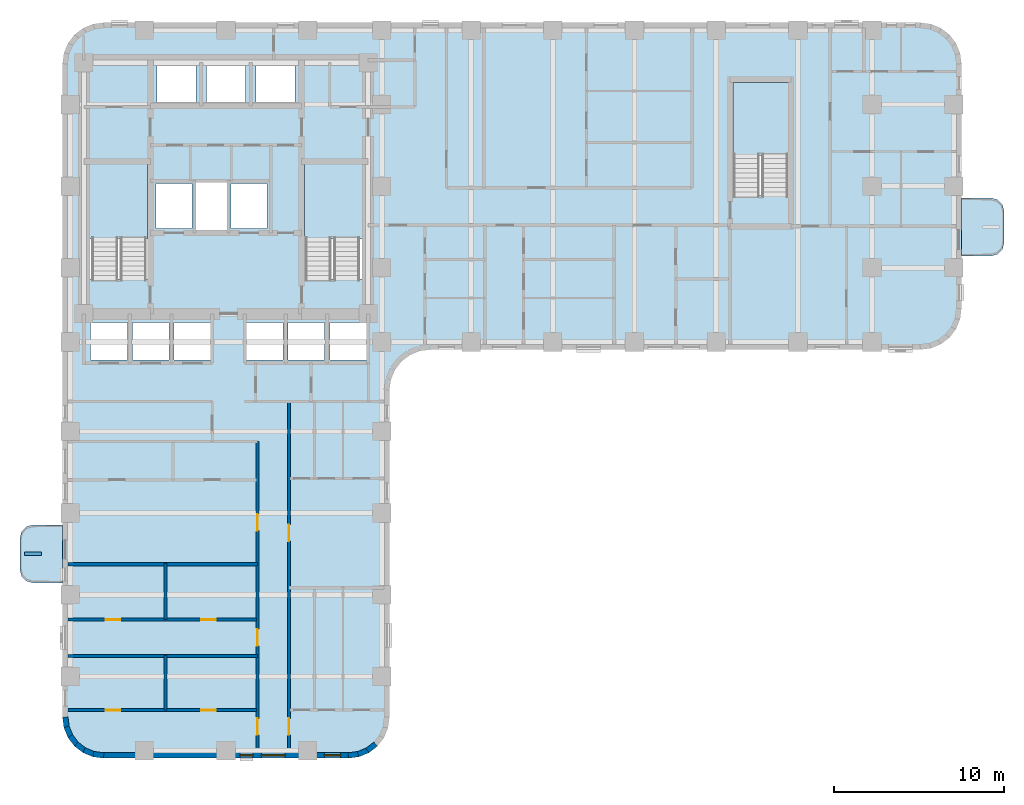
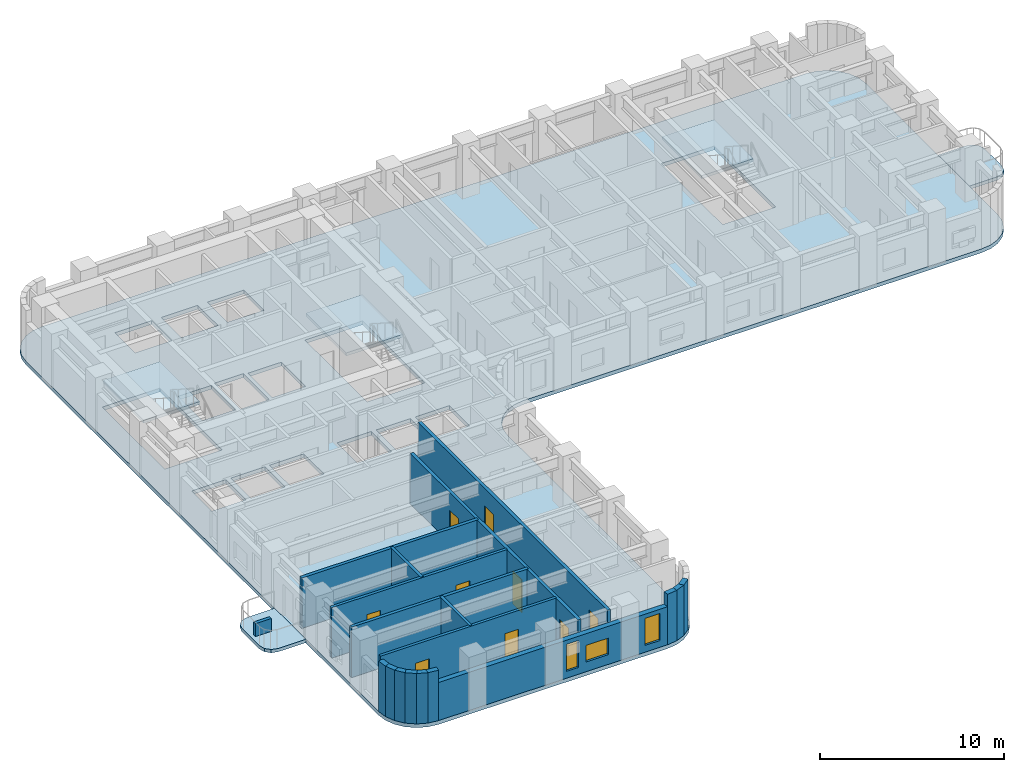
# One storey, part 2 of 11: 19 walls, 9 doors, 6 slabs, 3 windows, 12 openings, 3 elements without a shape of their own.
"""IFC4 building model written with IfcOpenShell, lengths in metres."""

from ifc_helpers import new_model, si_unit, direction, frame, frame_2d, origin, place, context, subcontext, project, spatial, polyline, rectangle, outline, extrude, material, layer, layer_set, type_object, element, fill, aggregate, save


model = new_model("IFC4")

# Units and contexts
model_context = context("Model", 3, precision=1e-05, world=origin(), true_north=direction((0.0, 1.0)))
body_context = subcontext(model_context, "Body", "Model", "MODEL_VIEW")
ifc_project = project(units=[si_unit("LENGTHUNIT", "METRE"), si_unit("AREAUNIT", "SQUARE_METRE"), si_unit("VOLUMEUNIT", "CUBIC_METRE"), si_unit("PLANEANGLEUNIT", "RADIAN"), si_unit("MASSUNIT", "GRAM", prefix="KILO")], contexts=[model_context])

# Site, building, storey
site_placement = place(None, origin())
site = spatial("IfcSite", under=ifc_project, at=site_placement, CompositionType="ELEMENT")
building_placement = place(site_placement, origin())
building = spatial("IfcBuilding", under=site, at=building_placement, Name="Orvandelia Arch Residences", CompositionType="ELEMENT")
storey_placement = place(building_placement, frame((0.0, 0.0, 53.800048828125)))
storey = spatial("IfcBuildingStorey", under=building, at=storey_placement, Name="L13", CompositionType="ELEMENT", Elevation=53.800048828125)

# Slabs
ifc_material_1 = material(Name="Precast concrete C40/50", Category="concrete")
ifc_layer_1 = layer(ifc_material_1, 0.219970703125, Name="Precast concrete C40/50", Category="concrete")
ifc_layer_set_1 = layer_set([ifc_layer_1], Name="Precast concrete C40/50")
slab_type_1 = type_object("IfcSlabType", Name="SLB-BAL-220", PredefinedType="USERDEFINED", material=ifc_layer_set_1)
slab_1_placement = place(storey_placement, frame((0.0, 0.0, -0.219970703125)))
element("IfcSlab", 1, at=slab_1_placement, inside=storey, type_object=slab_type_1, Name="Tree Balcony Cantilever Slab BAL-L13-W1", ObjectType="BALCONY", PredefinedType="USERDEFINED", context=body_context, shape_type="SweptSolid", body=[
    extrude(outline(polyline([(4.800048828125, 15.10009765625), (4.800048828125, 18.5), (3.050048828125, 18.5), (2.675048828125, 18.3994140625), (2.400390625, 18.125), (2.300048828125, 17.75), (2.300048828125, 15.85009765625), (2.400390625, 15.47509765625), (2.675048828125, 15.200439453125), (3.050048828125, 15.10009765625), (4.800048828125, 15.10009765625)])), origin(), (0.0, 0.0, 1.0), 0.219970703125),
])
slab_2_placement = place(storey_placement, frame((0.0, 0.0, -0.219970703125)))
element("IfcSlab", 2, at=slab_2_placement, inside=storey, type_object=slab_type_1, Name="Tree Balcony Cantilever Slab BAL-L13-E1", ObjectType="BALCONY", PredefinedType="USERDEFINED", context=body_context, shape_type="SweptSolid", body=[
    extrude(outline(polyline([(57.60009765625, 37.699951171875), (57.60009765625, 34.300048828125), (59.35009765625, 34.300048828125), (59.72509765625, 34.400390625), (59.99951171875, 34.675048828125), (60.10009765625, 35.050048828125), (60.10009765625, 36.949951171875), (59.99951171875, 37.324951171875), (59.72509765625, 37.599609375), (59.35009765625, 37.699951171875), (57.60009765625, 37.699951171875)])), origin(), (0.0, 0.0, 1.0), 0.219970703125),
])

# Stair, slab
ifc_material_2 = material(Name="Concrete C40/50", Category="concrete")
stair_type = type_object("IfcStairType", Name="STAIR-RC-DOGLEG", PredefinedType="HALF_TURN_STAIR", material=ifc_material_2)
stair_1_placement = place(storey_placement, origin())
stair_1 = element("IfcStair", 3, at=stair_1_placement, inside=storey, type_object=stair_type, Name="L13 Protected Exit Stair ST-1", PredefinedType="HALF_TURN_STAIR")
ifc_layer_2 = layer(ifc_material_2, 0.219970703125, Name="Concrete C40/50", Category="concrete")
ifc_layer_set_2 = layer_set([ifc_layer_2], Name="Concrete C40/50")
slab_type_2 = type_object("IfcSlabType", Name="SLB-LANDING-220", PredefinedType="LANDING", material=ifc_layer_set_2)
slab_3_placement = place(storey_placement, frame((0.0, 0.0, 1.599853515625)))
slab_3 = element("IfcSlab", 4, at=slab_3_placement, type_object=slab_type_2, Name="ST-1 landing 1", PredefinedType="LANDING", context=body_context, shape_type="SweptSolid", body=[
    extrude(outline(polyline([(9.800048828125, 35.31005859375), (9.800048828125, 39.68994140625), (6.260009765625, 39.68994140625), (6.260009765625, 35.31005859375), (9.800048828125, 35.31005859375)])), origin(), (0.0, 0.0, 1.0), 0.2001953125),
])
aggregate(stair_1, [slab_3])

stair_2_placement = place(storey_placement, origin())
stair_2 = element("IfcStair", 5, at=stair_2_placement, inside=storey, type_object=stair_type, Name="L13 Protected Exit Stair ST-2", PredefinedType="HALF_TURN_STAIR")
slab_4_placement = place(storey_placement, frame((0.0, 0.0, 1.599853515625)))
slab_4 = element("IfcSlab", 6, at=slab_4_placement, type_object=slab_type_2, Name="ST-2 landing 1", PredefinedType="LANDING", context=body_context, shape_type="SweptSolid", body=[
    extrude(outline(polyline([(22.5400390625, 35.31005859375), (22.5400390625, 39.68994140625), (19.0, 39.68994140625), (19.0, 35.31005859375), (22.5400390625, 35.31005859375)])), origin(), (0.0, 0.0, 1.0), 0.2001953125),
])
aggregate(stair_2, [slab_4])

stair_3_placement = place(storey_placement, origin())
stair_3 = element("IfcStair", 7, at=stair_3_placement, inside=storey, type_object=stair_type, Name="L13 East Wing Exit Stair ST-3", PredefinedType="HALF_TURN_STAIR")
slab_5_placement = place(storey_placement, frame((0.0, 0.0, 1.599853515625)))
slab_5 = element("IfcSlab", 8, at=slab_5_placement, type_object=slab_type_2, Name="ST-3 landing 1", PredefinedType="LANDING", context=body_context, shape_type="SweptSolid", body=[
    extrude(outline(polyline([(47.43994140625, 40.2099609375), (47.43994140625, 44.5), (44.179931640625, 44.5), (44.179931640625, 40.2099609375), (47.43994140625, 40.2099609375)])), origin(), (0.0, 0.0, 1.0), 0.2001953125),
])
aggregate(stair_3, [slab_5])

# Slab
ifc_layer_3 = layer(ifc_material_2, 0.25, Name="Concrete C40/50", Category="concrete")
ifc_layer_set_3 = layer_set([ifc_layer_3], Name="Concrete C40/50")
slab_type_3 = type_object("IfcSlabType", Name="SLB-TWR-250", PredefinedType="FLOOR", material=ifc_layer_set_3)
slab_6_placement = place(storey_placement, frame((0.0, 0.0, -0.25)))
element("IfcSlab", 9, at=slab_6_placement, inside=storey, type_object=slab_type_3, Name="Structural Floor Slab L13-1", PredefinedType="FLOOR", context=body_context, shape_type="SweptSolid", body=[
    extrude(outline(polyline([(4.800048828125, 7.199951171875), (4.8818359375, 6.578857421875), (5.12158203125, 6.0), (5.5029296875, 5.5029296875), (6.0, 5.12158203125), (6.578857421875, 4.8818359375), (7.199951171875, 4.800048828125), (21.60009765625, 4.800048828125), (22.22119140625, 4.8818359375), (22.800048828125, 5.12158203125), (23.297119140625, 5.5029296875), (23.678466796875, 6.0), (23.918212890625, 6.578857421875), (24.0, 7.199951171875), (24.0, 26.39990234375), (24.081787109375, 27.021240234375), (24.321533203125, 27.60009765625), (24.702880859375, 28.09716796875), (25.199951171875, 28.478515625), (25.77880859375, 28.71826171875), (26.39990234375, 28.800048828125), (55.199951171875, 28.800048828125), (55.8212890625, 28.8818359375), (56.39990234375, 29.12158203125), (56.897216796875, 29.5029296875), (57.278564453125, 30.0), (57.518310546875, 30.578857421875), (57.60009765625, 31.199951171875), (57.60009765625, 45.60009765625), (57.518310546875, 46.22119140625), (57.278564453125, 46.800048828125), (56.897216796875, 47.297119140625), (56.39990234375, 47.678466796875), (55.8212890625, 47.918212890625), (55.199951171875, 48.0), (7.199951171875, 48.0), (6.578857421875, 47.918212890625), (6.0, 47.678466796875), (5.5029296875, 47.297119140625), (5.12158203125, 46.800048828125), (4.8818359375, 46.22119140625), (4.800048828125, 45.60009765625), (4.800048828125, 7.199951171875)]), holes=[polyline([(6.219970703125, 32.949951171875), (9.840087890625, 32.949951171875), (9.840087890625, 39.72998046875), (6.219970703125, 39.72998046875), (6.219970703125, 32.949951171875)]), polyline([(18.9599609375, 32.949951171875), (22.580078125, 32.949951171875), (22.580078125, 39.72998046875), (18.9599609375, 39.72998046875), (18.9599609375, 32.949951171875)]), polyline([(44.139892578125, 37.85009765625), (47.47998046875, 37.85009765625), (47.47998046875, 44.5400390625), (44.139892578125, 44.5400390625), (44.139892578125, 37.85009765625)]), polyline([(12.639892578125, 35.81005859375), (14.4599609375, 35.81005859375), (14.4599609375, 38.639892578125), (12.639892578125, 38.639892578125), (12.639892578125, 35.81005859375)]), polyline([(10.300048828125, 35.89990234375), (12.39990234375, 35.89990234375), (12.39990234375, 38.550048828125), (10.300048828125, 38.550048828125), (10.300048828125, 35.89990234375)]), polyline([(14.699951171875, 35.89990234375), (16.800048828125, 35.89990234375), (16.800048828125, 38.550048828125), (14.699951171875, 38.550048828125), (14.699951171875, 35.89990234375)]), polyline([(10.35009765625, 43.300048828125), (12.64990234375, 43.300048828125), (12.64990234375, 45.5), (10.35009765625, 45.5), (10.35009765625, 43.300048828125)]), polyline([(13.25, 43.300048828125), (15.550048828125, 43.300048828125), (15.550048828125, 45.5), (13.25, 45.5), (13.25, 43.300048828125)]), polyline([(16.14990234375, 43.300048828125), (18.449951171875, 43.300048828125), (18.449951171875, 45.5), (16.14990234375, 45.5), (16.14990234375, 43.300048828125)]), polyline([(6.449951171875, 28.199951171875), (8.60009765625, 28.199951171875), (8.60009765625, 30.39990234375), (6.449951171875, 30.39990234375), (6.449951171875, 28.199951171875)]), polyline([(8.89990234375, 28.199951171875), (11.050048828125, 28.199951171875), (11.050048828125, 30.39990234375), (8.89990234375, 30.39990234375), (8.89990234375, 28.199951171875)]), polyline([(11.35009765625, 28.199951171875), (13.5, 28.199951171875), (13.5, 30.39990234375), (11.35009765625, 30.39990234375), (11.35009765625, 28.199951171875)]), polyline([(15.60009765625, 28.199951171875), (17.75, 28.199951171875), (17.75, 30.39990234375), (15.60009765625, 30.39990234375), (15.60009765625, 28.199951171875)]), polyline([(18.050048828125, 28.199951171875), (20.199951171875, 28.199951171875), (20.199951171875, 30.39990234375), (18.050048828125, 30.39990234375), (18.050048828125, 28.199951171875)]), polyline([(20.5, 28.199951171875), (22.64990234375, 28.199951171875), (22.64990234375, 30.39990234375), (20.5, 30.39990234375), (20.5, 28.199951171875)])]), origin(), (0.0, 0.0, 1.0), 0.25),
])

# Wall, openings, doors
ifc_material_3 = material(Name="Fire-Rated Corridor Partition")
ifc_layer_4 = layer(ifc_material_3, 0.199951171875, Name="Fire-Rated Corridor Partition")
ifc_layer_set_4 = layer_set([ifc_layer_4], Name="Fire-Rated Corridor Partition")
wall_type_1 = type_object("IfcWallType", Name="WL-CORR-200", PredefinedType="PARTITIONING", material=ifc_layer_set_4)
wall_1_placement = place(storey_placement, frame((16.25, 5.1201171875, 0.0), z_axis=(0.0, 0.0, 1.0), x_axis=(0.0, 1.0, 0.0)))
wall_1 = element("IfcWall", 10, at=wall_1_placement, inside=storey, type_object=wall_type_1, Name="Interior Partition Wall WL-L13-WC-W", PredefinedType="PARTITIONING", context=body_context, shape_type="SweptSolid", body=[
    extrude(rectangle(XDim=18.27978515625, YDim=0.199951171875, at=frame_2d((9.139892578125, 0.0))), origin(), (0.0, 0.0, 1.0), 3.349853515625),
])
opening_1_placement = place(wall_1_placement, frame((1.0419921875, 0.0, 0.0)))
opening_1 = element("IfcOpeningElement", 11, at=opening_1_placement, cuts=wall_1, Name="Opening D1", PredefinedType="OPENING", context=body_context, shape_type="SweptSolid", body=[
    extrude(rectangle(XDim=0.97998046875, YDim=2.179931640625, at=frame_2d((0.489990234375, 1.08984375))), frame((0.0, 0.10986328125, 0.0), z_axis=(0.0, -1.0, 0.0), x_axis=(1.0, 0.0, 0.0)), (0.0, 0.0, 1.0), 0.219970703125),
])
opening_2_placement = place(wall_1_placement, frame((6.280029296875, 0.0, 0.0)))
opening_2 = element("IfcOpeningElement", 12, at=opening_2_placement, cuts=wall_1, Name="Opening D1", PredefinedType="OPENING", context=body_context, shape_type="SweptSolid", body=[
    extrude(rectangle(XDim=0.97998046875, YDim=2.179931640625, at=frame_2d((0.489990234375, 1.08984375))), frame((0.0, 0.10986328125, 0.0), z_axis=(0.0, -1.0, 0.0), x_axis=(1.0, 0.0, 0.0)), (0.0, 0.0, 1.0), 0.219970703125),
])
opening_3_placement = place(wall_1_placement, frame((13.0400390625, 0.0, 0.0)))
opening_3 = element("IfcOpeningElement", 13, at=opening_3_placement, cuts=wall_1, Name="Opening D1", PredefinedType="OPENING", context=body_context, shape_type="SweptSolid", body=[
    extrude(rectangle(XDim=0.97998046875, YDim=2.179931640625, at=frame_2d((0.489990234375, 1.08984375))), frame((0.0, 0.10986328125, 0.0), z_axis=(0.0, -1.0, 0.0), x_axis=(1.0, 0.0, 0.0)), (0.0, 0.0, 1.0), 0.219970703125),
])
ifc_material_4 = material(Name="Solid-Core Timber Acoustic Fire Door", Category="wood")
door_type_1 = type_object("IfcDoorType", Name="DR-ENT-980", OperationType="NOTDEFINED", PredefinedType="DOOR", material=ifc_material_4)
door_1_placement = place(opening_1_placement, origin())
door_1 = element("IfcDoor", 14, at=door_1_placement, inside=storey, type_object=door_type_1, Name="Unit L13-01 Entrance Door", OperationType="SINGLE_SWING_LEFT", OverallHeight=2.179931640625, OverallWidth=0.97998046875, PredefinedType="DOOR", context=body_context, shape_type="SweptSolid", body=[
    extrude(rectangle(XDim=0.97998046875, YDim=2.179931640625, at=frame_2d((0.489990234375, 1.08984375))), frame((0.0, 0.02490234375, 0.0), z_axis=(0.0, -1.0, 0.0), x_axis=(1.0, 0.0, 0.0)), (0.0, 0.0, 1.0), 0.050048828125),
])
fill(opening_1, door_1)
door_2_placement = place(opening_2_placement, origin())
door_2 = element("IfcDoor", 15, at=door_2_placement, inside=storey, type_object=door_type_1, Name="Unit L13-02 Entrance Door", OperationType="SINGLE_SWING_RIGHT", OverallHeight=2.179931640625, OverallWidth=0.97998046875, PredefinedType="DOOR", context=body_context, shape_type="SweptSolid", body=[
    extrude(rectangle(XDim=0.97998046875, YDim=2.179931640625, at=frame_2d((0.489990234375, 1.08984375))), frame((0.0, 0.02490234375, 0.0), z_axis=(0.0, -1.0, 0.0), x_axis=(1.0, 0.0, 0.0)), (0.0, 0.0, 1.0), 0.050048828125),
])
fill(opening_2, door_2)
door_3_placement = place(opening_3_placement, origin())
door_3 = element("IfcDoor", 16, at=door_3_placement, inside=storey, type_object=door_type_1, Name="Unit L13-03 Entrance Door", OperationType="SINGLE_SWING_LEFT", OverallHeight=2.179931640625, OverallWidth=0.97998046875, PredefinedType="DOOR", context=body_context, shape_type="SweptSolid", body=[
    extrude(rectangle(XDim=0.97998046875, YDim=2.179931640625, at=frame_2d((0.489990234375, 1.08984375))), frame((0.0, 0.02490234375, 0.0), z_axis=(0.0, -1.0, 0.0), x_axis=(1.0, 0.0, 0.0)), (0.0, 0.0, 1.0), 0.050048828125),
])
fill(opening_3, door_3)

wall_2_placement = place(storey_placement, frame((18.10009765625, 5.1201171875, 0.0), z_axis=(0.0, 0.0, 1.0), x_axis=(0.0, 1.0, 0.0)))
wall_2 = element("IfcWall", 17, at=wall_2_placement, inside=storey, type_object=wall_type_1, Name="Interior Partition Wall WL-L13-WC-E", PredefinedType="PARTITIONING", context=body_context, shape_type="SweptSolid", body=[
    extrude(rectangle(XDim=20.6298828125, YDim=0.199951171875, at=frame_2d((10.31494140625, 0.0))), origin(), (0.0, 0.0, 1.0), 3.349853515625),
])
opening_4_placement = place(wall_2_placement, frame((1.04296875, 0.0, 0.0)))
opening_4 = element("IfcOpeningElement", 18, at=opening_4_placement, cuts=wall_2, Name="Opening D1", PredefinedType="OPENING", context=body_context, shape_type="SweptSolid", body=[
    extrude(rectangle(XDim=0.97998046875, YDim=2.179931640625, at=frame_2d((0.489990234375, 1.08984375))), frame((0.0, 0.10986328125, 0.0), z_axis=(0.0, -1.0, 0.0), x_axis=(1.0, 0.0, 0.0)), (0.0, 0.0, 1.0), 0.219970703125),
])
opening_5_placement = place(wall_2_placement, frame((12.422119140625, 0.0, 0.0)))
opening_5 = element("IfcOpeningElement", 19, at=opening_5_placement, cuts=wall_2, Name="Opening D1", PredefinedType="OPENING", context=body_context, shape_type="SweptSolid", body=[
    extrude(rectangle(XDim=0.97998046875, YDim=2.179931640625, at=frame_2d((0.489990234375, 1.08984375))), frame((0.0, 0.10986328125, 0.0), z_axis=(0.0, -1.0, 0.0), x_axis=(1.0, 0.0, 0.0)), (0.0, 0.0, 1.0), 0.219970703125),
])
door_4_placement = place(opening_4_placement, origin())
door_4 = element("IfcDoor", 20, at=door_4_placement, inside=storey, type_object=door_type_1, Name="Unit L13-04 Entrance Door", OperationType="SINGLE_SWING_RIGHT", OverallHeight=2.179931640625, OverallWidth=0.97998046875, PredefinedType="DOOR", context=body_context, shape_type="SweptSolid", body=[
    extrude(rectangle(XDim=0.97998046875, YDim=2.179931640625, at=frame_2d((0.489990234375, 1.08984375))), frame((0.0, 0.02490234375, 0.0), z_axis=(0.0, -1.0, 0.0), x_axis=(1.0, 0.0, 0.0)), (0.0, 0.0, 1.0), 0.050048828125),
])
fill(opening_4, door_4)
door_5_placement = place(opening_5_placement, origin())
door_5 = element("IfcDoor", 21, at=door_5_placement, inside=storey, type_object=door_type_1, Name="Unit L13-05 Entrance Door", OperationType="SINGLE_SWING_LEFT", OverallHeight=2.179931640625, OverallWidth=0.97998046875, PredefinedType="DOOR", context=body_context, shape_type="SweptSolid", body=[
    extrude(rectangle(XDim=0.97998046875, YDim=2.179931640625, at=frame_2d((0.489990234375, 1.08984375))), frame((0.0, 0.02490234375, 0.0), z_axis=(0.0, -1.0, 0.0), x_axis=(1.0, 0.0, 0.0)), (0.0, 0.0, 1.0), 0.050048828125),
])
fill(opening_5, door_5)

# Walls
ifc_layer_5 = layer(ifc_material_2, 0.199951171875, Name="Concrete C40/50", Category="concrete")
ifc_layer_set_5 = layer_set([ifc_layer_5], Name="Concrete C40/50")
wall_type_2 = type_object("IfcWallType", Name="WL-DEM-200", PredefinedType="SOLIDWALL", material=ifc_layer_set_5)
for number, where, z_axis, x_axis, name in (
    (22, (5.1201171875, 10.800048828125, 0.0), (0.0, 0.0, 1.0), (1.0, 0.0, 0.0), "Interior Partition Wall WL-L13-DEM-WL-108"),
    (23, (5.1201171875, 16.199951171875, 0.0), (0.0, 0.0, 1.0), (1.0, 0.0, 0.0), "Interior Partition Wall WL-L13-DEM-WL-162"),
):
    element("IfcWall", number, at=place(storey_placement, frame(where, z_axis=z_axis, x_axis=x_axis)), inside=storey, type_object=wall_type_2, Name=name, PredefinedType="SOLIDWALL", context=body_context, shape_type="SweptSolid", body=[
        extrude(rectangle(XDim=11.1298828125, YDim=0.199951171875, at=frame_2d((5.56494140625, 0.0))), origin(), (0.0, 0.0, 1.0), 3.349853515625),
    ])
ifc_layer_6 = layer(ifc_material_1, 0.320068359375, Name="Precast concrete C40/50", Category="concrete")
ifc_layer_set_6 = layer_set([ifc_layer_6], Name="Precast concrete C40/50")
wall_type_3 = type_object("IfcWallType", Name="WL-EXT-STONE-320", PredefinedType="STANDARD", material=ifc_layer_set_6)
wall_3_placement = place(storey_placement, frame((23.19970703125, 5.6298828125, 0.0), z_axis=(0.0, 0.0, 1.0), x_axis=(-0.7932174212, -0.608938521285, 0.0)))
element("IfcWall", 24, at=wall_3_placement, inside=storey, type_object=wall_type_3, Name="Coral-Limestone Precast Facade Wall L13-032", PredefinedType="STANDARD", context=body_context, shape_type="SweptSolid", body=[
    extrude(rectangle(XDim=0.626708984375, YDim=0.320068359375, at=frame_2d((0.3134765625, 0.0))), origin(), (0.0, 0.0, 1.0), 3.349853515625),
])
for number, where, z_axis, x_axis, name in (
    (25, (22.73876953125, 5.269287109375, 0.0), (0.0, 0.0, 1.0), (-0.92389335771, -0.382650053678, 0.0), "Coral-Limestone Precast Facade Wall L13-033"),
    (26, (22.2001953125, 5.040283203125, 0.0), (0.0, 0.0, 1.0), (-0.9914410257, -0.130555323746, 0.0), "Coral-Limestone Precast Facade Wall L13-034"),
):
    element("IfcWall", number, at=place(storey_placement, frame(where, z_axis=z_axis, x_axis=x_axis)), inside=storey, type_object=wall_type_3, Name=name, PredefinedType="STANDARD", context=body_context, shape_type="SweptSolid", body=[
        extrude(rectangle(XDim=0.62646484375, YDim=0.320068359375, at=frame_2d((0.313232421875, 0.0))), origin(), (0.0, 0.0, 1.0), 3.349853515625),
    ])

# Wall, openings, windows
wall_4_placement = place(storey_placement, frame((21.60009765625, 4.9599609375, 0.0), z_axis=(0.0, 0.0, 1.0), x_axis=(-1.0, 0.0, 0.0)))
wall_4 = element("IfcWall", 27, at=wall_4_placement, inside=storey, type_object=wall_type_3, Name="Coral-Limestone Precast Facade Wall L13-035", PredefinedType="STANDARD", context=body_context, shape_type="SweptSolid", body=[
    extrude(rectangle(XDim=14.400146484375, YDim=0.320068359375, at=frame_2d((7.2001953125, 0.0))), origin(), (0.0, 0.0, 1.0), 2.530029296875),
])
opening_6_placement = place(wall_4_placement, frame((5.614990234375, 0.0, 0.449951171875)))
opening_6 = element("IfcOpeningElement", 28, at=opening_6_placement, cuts=wall_4, Name="Opening W11", PredefinedType="OPENING", context=body_context, shape_type="SweptSolid", body=[
    extrude(rectangle(XDim=0.75, YDim=1.800048828125, at=frame_2d((0.375, 0.89990234375))), frame((0.0, 0.169921875, 0.0), z_axis=(0.0, -1.0, 0.0), x_axis=(1.0, 0.0, 0.0)), (0.0, 0.0, 1.0), 0.340087890625),
])
opening_7_placement = place(wall_4_placement, frame((3.72509765625, 0.0, 0.64990234375)))
opening_7 = element("IfcOpeningElement", 29, at=opening_7_placement, cuts=wall_4, Name="Opening W10", PredefinedType="OPENING", context=body_context, shape_type="SweptSolid", body=[
    extrude(rectangle(XDim=1.39990234375, YDim=1.10009765625, at=frame_2d((0.699951171875, 0.550048828125))), frame((0.0, 0.169921875, 0.0), z_axis=(0.0, -1.0, 0.0), x_axis=(1.0, 0.0, 0.0)), (0.0, 0.0, 1.0), 0.340087890625),
])
opening_8_placement = place(wall_4_placement, frame((0.469970703125, 0.0, 0.449951171875)))
opening_8 = element("IfcOpeningElement", 30, at=opening_8_placement, cuts=wall_4, Name="Opening W4", PredefinedType="OPENING", context=body_context, shape_type="SweptSolid", body=[
    extrude(rectangle(XDim=0.949951171875, YDim=1.800048828125, at=frame_2d((0.47509765625, 0.89990234375))), frame((0.0, 0.169921875, 0.0), z_axis=(0.0, -1.0, 0.0), x_axis=(1.0, 0.0, 0.0)), (0.0, 0.0, 1.0), 0.340087890625),
])
ifc_material_5 = material(Name="Tempered Low-E Insulated Glazing", Category="glass")
window_type_1 = type_object("IfcWindowType", Name="WIN-BED-0750x1800", PartitioningType="SINGLE_PANEL", PredefinedType="WINDOW", material=ifc_material_5)
window_1_placement = place(opening_6_placement, origin())
window_1 = element("IfcWindow", 31, at=window_1_placement, inside=storey, type_object=window_type_1, Name="Recessed Punched Window L13-024", OverallHeight=1.800048828125, OverallWidth=0.75, PartitioningType="SINGLE_PANEL", PredefinedType="WINDOW", context=body_context, shape_type="SweptSolid", body=[
    extrude(rectangle(XDim=0.75, YDim=1.800048828125, at=frame_2d((0.375, 0.89990234375))), frame((0.0, 0.030029296875, 0.0), z_axis=(0.0, -1.0, 0.0), x_axis=(1.0, 0.0, 0.0)), (0.0, 0.0, 1.0), 0.06005859375),
])
fill(opening_6, window_1)
window_type_2 = type_object("IfcWindowType", Name="WIN-CLR-1400x1100", PartitioningType="SINGLE_PANEL", PredefinedType="WINDOW", material=ifc_material_5)
window_2_placement = place(opening_7_placement, origin())
window_2 = element("IfcWindow", 32, at=window_2_placement, inside=storey, type_object=window_type_2, Name="Recessed Punched Window L13-025", OverallHeight=1.10009765625, OverallWidth=1.39990234375, PartitioningType="SINGLE_PANEL", PredefinedType="WINDOW", context=body_context, shape_type="SweptSolid", body=[
    extrude(rectangle(XDim=1.39990234375, YDim=1.10009765625, at=frame_2d((0.699951171875, 0.550048828125))), frame((0.0, 0.030029296875, 0.0), z_axis=(0.0, -1.0, 0.0), x_axis=(1.0, 0.0, 0.0)), (0.0, 0.0, 1.0), 0.06005859375),
])
fill(opening_7, window_2)
window_type_3 = type_object("IfcWindowType", Name="WIN-RES-0950x1800", PartitioningType="SINGLE_PANEL", PredefinedType="WINDOW", material=ifc_material_5)
window_3_placement = place(opening_8_placement, origin())
window_3 = element("IfcWindow", 33, at=window_3_placement, inside=storey, type_object=window_type_3, Name="Recessed Punched Window L13-026", OverallHeight=1.800048828125, OverallWidth=0.949951171875, PartitioningType="SINGLE_PANEL", PredefinedType="WINDOW", context=body_context, shape_type="SweptSolid", body=[
    extrude(rectangle(XDim=0.949951171875, YDim=1.800048828125, at=frame_2d((0.47509765625, 0.89990234375))), frame((0.0, 0.030029296875, 0.0), z_axis=(0.0, -1.0, 0.0), x_axis=(1.0, 0.0, 0.0)), (0.0, 0.0, 1.0), 0.06005859375),
])
fill(opening_8, window_3)

# Walls
wall_5_placement = place(storey_placement, frame((7.220947265625, 4.95849609375, 0.0), z_axis=(0.0, 0.0, 1.0), x_axis=(-0.991447664465, 0.130504898859, 0.0)))
element("IfcWall", 34, at=wall_5_placement, inside=storey, type_object=wall_type_3, Name="Coral-Limestone Precast Facade Wall L13-036", PredefinedType="STANDARD", context=body_context, shape_type="SweptSolid", body=[
    extrude(rectangle(XDim=0.626708984375, YDim=0.320068359375, at=frame_2d((0.3134765625, 0.0))), origin(), (0.0, 0.0, 1.0), 3.349853515625),
])
wall_6_placement = place(storey_placement, frame((6.639892578125, 5.029541015625, 0.0), z_axis=(0.0, 0.0, 1.0), x_axis=(-0.923836271867, 0.382787856107, 0.0)))
element("IfcWall", 35, at=wall_6_placement, inside=storey, type_object=wall_type_3, Name="Coral-Limestone Precast Facade Wall L13-037", PredefinedType="STANDARD", context=body_context, shape_type="SweptSolid", body=[
    extrude(rectangle(XDim=0.626220703125, YDim=0.320068359375, at=frame_2d((0.31298828125, 0.0))), origin(), (0.0, 0.0, 1.0), 3.349853515625),
])
for number, where, z_axis, x_axis, name in (
    (36, (6.097412109375, 5.248291015625, 0.0), (0.0, 0.0, 1.0), (-0.7932174212, 0.608938521285, 0.0), "Coral-Limestone Precast Facade Wall L13-038"),
    (37, (5.6298828125, 5.600341796875, 0.0), (0.0, 0.0, 1.0), (-0.608938521285, 0.7932174212, 0.0), "Coral-Limestone Precast Facade Wall L13-039"),
):
    element("IfcWall", number, at=place(storey_placement, frame(where, z_axis=z_axis, x_axis=x_axis)), inside=storey, type_object=wall_type_3, Name=name, PredefinedType="STANDARD", context=body_context, shape_type="SweptSolid", body=[
        extrude(rectangle(XDim=0.626708984375, YDim=0.320068359375, at=frame_2d((0.3134765625, 0.0))), origin(), (0.0, 0.0, 1.0), 3.349853515625),
    ])
wall_7_placement = place(storey_placement, frame((5.269287109375, 6.061279296875, 0.0), z_axis=(0.0, 0.0, 1.0), x_axis=(-0.382787856107, 0.923836271867, 0.0)))
element("IfcWall", 38, at=wall_7_placement, inside=storey, type_object=wall_type_3, Name="Coral-Limestone Precast Facade Wall L13-040", PredefinedType="STANDARD", context=body_context, shape_type="SweptSolid", body=[
    extrude(rectangle(XDim=0.626220703125, YDim=0.320068359375, at=frame_2d((0.31298828125, 0.0))), origin(), (0.0, 0.0, 1.0), 3.349853515625),
])
wall_8_placement = place(storey_placement, frame((5.040283203125, 6.599609375, 0.0), z_axis=(0.0, 0.0, 1.0), x_axis=(-0.130504898859, 0.991447664465, 0.0)))
element("IfcWall", 39, at=wall_8_placement, inside=storey, type_object=wall_type_3, Name="Coral-Limestone Precast Facade Wall L13-041", PredefinedType="STANDARD", context=body_context, shape_type="SweptSolid", body=[
    extrude(rectangle(XDim=0.626708984375, YDim=0.320068359375, at=frame_2d((0.3134765625, 0.0))), origin(), (0.0, 0.0, 1.0), 3.349853515625),
])
ifc_layer_7 = layer(ifc_material_1, 0.199951171875, Name="Precast concrete C40/50", Category="concrete")
ifc_layer_set_7 = layer_set([ifc_layer_7], Name="Precast concrete C40/50")
wall_type_4 = type_object("IfcWallType", Name="WL-PLANTER-200", PredefinedType="MOVABLE", material=ifc_layer_set_7)
wall_9_placement = place(storey_placement, frame((2.550048828125, 16.800048828125, 0.0), z_axis=(0.0, 0.0, 1.0), x_axis=(1.0, 0.0, 0.0)))
element("IfcWall", 40, at=wall_9_placement, inside=storey, type_object=wall_type_4, Name="Balcony Precast Tree Planter BAL-L13-W1", PredefinedType="MOVABLE", context=body_context, shape_type="SweptSolid", body=[
    extrude(rectangle(XDim=1.0, YDim=0.199951171875, at=frame_2d((0.5, 0.0))), origin(), (0.0, 0.0, 1.0), 0.849853515625),
])

# Wall, openings, doors
ifc_material_6 = material(Name="Moisture-Resistant Plumbing Wall")
ifc_layer_8 = layer(ifc_material_6, 0.179931640625, Name="Moisture-Resistant Plumbing Wall")
ifc_layer_set_8 = layer_set([ifc_layer_8], Name="Moisture-Resistant Plumbing Wall")
wall_type_5 = type_object("IfcWallType", Name="WL-WET-180", PredefinedType="PLUMBINGWALL", material=ifc_layer_set_8)
wall_10_placement = place(storey_placement, frame((5.1201171875, 7.6240234375, 0.0), z_axis=(0.0, 0.0, 1.0), x_axis=(1.0, 0.0, 0.0)))
wall_10 = element("IfcWall", 41, at=wall_10_placement, inside=storey, type_object=wall_type_5, Name="Interior Partition Wall WL-L13-U01-HZ", PredefinedType="PLUMBINGWALL", context=body_context, shape_type="SweptSolid", body=[
    extrude(rectangle(XDim=11.06982421875, YDim=0.179931640625, at=frame_2d((5.534912109375, 0.0))), origin(), (0.0, 0.0, 1.0), 3.349853515625),
])
opening_9_placement = place(wall_10_placement, frame((2.208984375, 0.0, 0.0)))
opening_9 = element("IfcOpeningElement", 42, at=opening_9_placement, cuts=wall_10, Name="Opening D4", PredefinedType="OPENING", context=body_context, shape_type="SweptSolid", body=[
    extrude(rectangle(XDim=0.860107421875, YDim=2.10009765625, at=frame_2d((0.43017578125, 1.050048828125))), frame((0.0, 0.10009765625, 0.0), z_axis=(0.0, -1.0, 0.0), x_axis=(1.0, 0.0, 0.0)), (0.0, 0.0, 1.0), 0.199951171875),
])
opening_10_placement = place(wall_10_placement, frame((7.823974609375, 0.0, 0.0)))
opening_10 = element("IfcOpeningElement", 43, at=opening_10_placement, cuts=wall_10, Name="Opening D4", PredefinedType="OPENING", context=body_context, shape_type="SweptSolid", body=[
    extrude(rectangle(XDim=0.860107421875, YDim=2.10009765625, at=frame_2d((0.43017578125, 1.050048828125))), frame((0.0, 0.10009765625, 0.0), z_axis=(0.0, -1.0, 0.0), x_axis=(1.0, 0.0, 0.0)), (0.0, 0.0, 1.0), 0.199951171875),
])
ifc_material_7 = material(Name="Moisture-Sealed Timber Bathroom Door", Category="wood")
door_type_2 = type_object("IfcDoorType", Name="DR-WET-900", OperationType="NOTDEFINED", PredefinedType="DOOR", material=ifc_material_7)
door_6_placement = place(opening_9_placement, origin())
door_6 = element("IfcDoor", 44, at=door_6_placement, inside=storey, type_object=door_type_2, Name="DR-L13-U01-KIT", OperationType="SINGLE_SWING_LEFT", OverallHeight=2.10009765625, OverallWidth=0.860107421875, PredefinedType="DOOR", context=body_context, shape_type="SweptSolid", body=[
    extrude(rectangle(XDim=0.860107421875, YDim=2.10009765625, at=frame_2d((0.43017578125, 1.050048828125))), frame((0.0, 0.02490234375, 0.0), z_axis=(0.0, -1.0, 0.0), x_axis=(1.0, 0.0, 0.0)), (0.0, 0.0, 1.0), 0.050048828125),
])
fill(opening_9, door_6)
door_7_placement = place(opening_10_placement, origin())
door_7 = element("IfcDoor", 45, at=door_7_placement, inside=storey, type_object=door_type_2, Name="DR-L13-U01-BTH", OperationType="SINGLE_SWING_RIGHT", OverallHeight=2.10009765625, OverallWidth=0.860107421875, PredefinedType="DOOR", context=body_context, shape_type="SweptSolid", body=[
    extrude(rectangle(XDim=0.860107421875, YDim=2.10009765625, at=frame_2d((0.43017578125, 1.050048828125))), frame((0.0, 0.02490234375, 0.0), z_axis=(0.0, -1.0, 0.0), x_axis=(1.0, 0.0, 0.0)), (0.0, 0.0, 1.0), 0.050048828125),
])
fill(opening_10, door_7)

# Wall
wall_11_placement = place(storey_placement, frame((10.847900390625, 7.6240234375, 0.0), z_axis=(0.0, 0.0, 1.0), x_axis=(0.0, 1.0, 0.0)))
element("IfcWall", 46, at=wall_11_placement, inside=storey, type_object=wall_type_5, Name="Interior Partition Wall WL-L13-U01-V1", PredefinedType="PLUMBINGWALL", context=body_context, shape_type="SweptSolid", body=[
    extrude(rectangle(XDim=3.216064453125, YDim=0.179931640625, at=frame_2d((1.60791015625, 0.0))), origin(), (0.0, 0.0, 1.0), 3.349853515625),
])

# Wall, openings, doors
wall_12_placement = place(storey_placement, frame((5.1201171875, 12.93994140625, 0.0), z_axis=(0.0, 0.0, 1.0), x_axis=(1.0, 0.0, 0.0)))
wall_12 = element("IfcWall", 47, at=wall_12_placement, inside=storey, type_object=wall_type_5, Name="Interior Partition Wall WL-L13-U02-HZ", PredefinedType="PLUMBINGWALL", context=body_context, shape_type="SweptSolid", body=[
    extrude(rectangle(XDim=11.06982421875, YDim=0.179931640625, at=frame_2d((5.534912109375, 0.0))), origin(), (0.0, 0.0, 1.0), 3.349853515625),
])
opening_11_placement = place(wall_12_placement, frame((2.208984375, 0.0, 0.0)))
opening_11 = element("IfcOpeningElement", 48, at=opening_11_placement, cuts=wall_12, Name="Opening D4", PredefinedType="OPENING", context=body_context, shape_type="SweptSolid", body=[
    extrude(rectangle(XDim=0.860107421875, YDim=2.10009765625, at=frame_2d((0.43017578125, 1.050048828125))), frame((0.0, 0.10009765625, 0.0), z_axis=(0.0, -1.0, 0.0), x_axis=(1.0, 0.0, 0.0)), (0.0, 0.0, 1.0), 0.199951171875),
])
opening_12_placement = place(wall_12_placement, frame((7.823974609375, 0.0, 0.0)))
opening_12 = element("IfcOpeningElement", 49, at=opening_12_placement, cuts=wall_12, Name="Opening D4", PredefinedType="OPENING", context=body_context, shape_type="SweptSolid", body=[
    extrude(rectangle(XDim=0.860107421875, YDim=2.10009765625, at=frame_2d((0.43017578125, 1.050048828125))), frame((0.0, 0.10009765625, 0.0), z_axis=(0.0, -1.0, 0.0), x_axis=(1.0, 0.0, 0.0)), (0.0, 0.0, 1.0), 0.199951171875),
])
door_8_placement = place(opening_11_placement, origin())
door_8 = element("IfcDoor", 50, at=door_8_placement, inside=storey, type_object=door_type_2, Name="DR-L13-U02-KIT", OperationType="SINGLE_SWING_RIGHT", OverallHeight=2.10009765625, OverallWidth=0.860107421875, PredefinedType="DOOR", context=body_context, shape_type="SweptSolid", body=[
    extrude(rectangle(XDim=0.860107421875, YDim=2.10009765625, at=frame_2d((0.43017578125, 1.050048828125))), frame((0.0, 0.02490234375, 0.0), z_axis=(0.0, -1.0, 0.0), x_axis=(1.0, 0.0, 0.0)), (0.0, 0.0, 1.0), 0.050048828125),
])
fill(opening_11, door_8)
door_9_placement = place(opening_12_placement, origin())
door_9 = element("IfcDoor", 51, at=door_9_placement, inside=storey, type_object=door_type_2, Name="DR-L13-U02-BTH", OperationType="SINGLE_SWING_LEFT", OverallHeight=2.10009765625, OverallWidth=0.860107421875, PredefinedType="DOOR", context=body_context, shape_type="SweptSolid", body=[
    extrude(rectangle(XDim=0.860107421875, YDim=2.10009765625, at=frame_2d((0.43017578125, 1.050048828125))), frame((0.0, 0.02490234375, 0.0), z_axis=(0.0, -1.0, 0.0), x_axis=(1.0, 0.0, 0.0)), (0.0, 0.0, 1.0), 0.050048828125),
])
fill(opening_12, door_9)

# Wall
wall_13_placement = place(storey_placement, frame((10.847900390625, 12.93994140625, 0.0), z_axis=(0.0, 0.0, 1.0), x_axis=(0.0, 1.0, 0.0)))
element("IfcWall", 52, at=wall_13_placement, inside=storey, type_object=wall_type_5, Name="Interior Partition Wall WL-L13-U02-V1", PredefinedType="PLUMBINGWALL", context=body_context, shape_type="SweptSolid", body=[
    extrude(rectangle(XDim=3.300048828125, YDim=0.179931640625, at=frame_2d((1.64990234375, 0.0))), origin(), (0.0, 0.0, 1.0), 3.349853515625),
])

save(model, "model.ifc")
